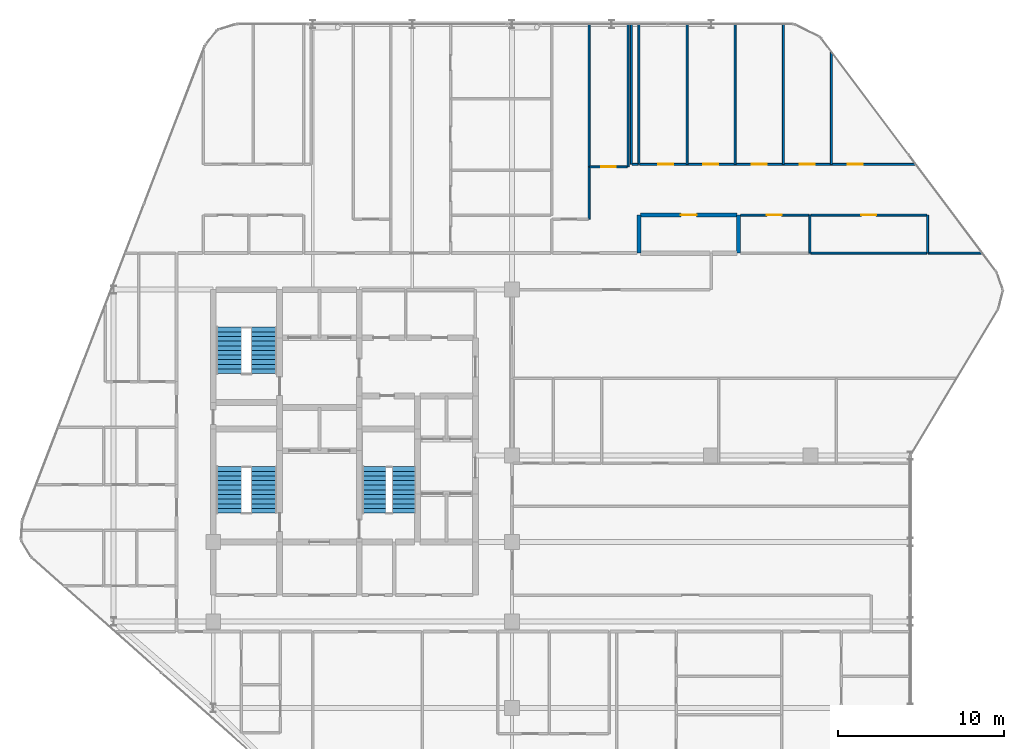
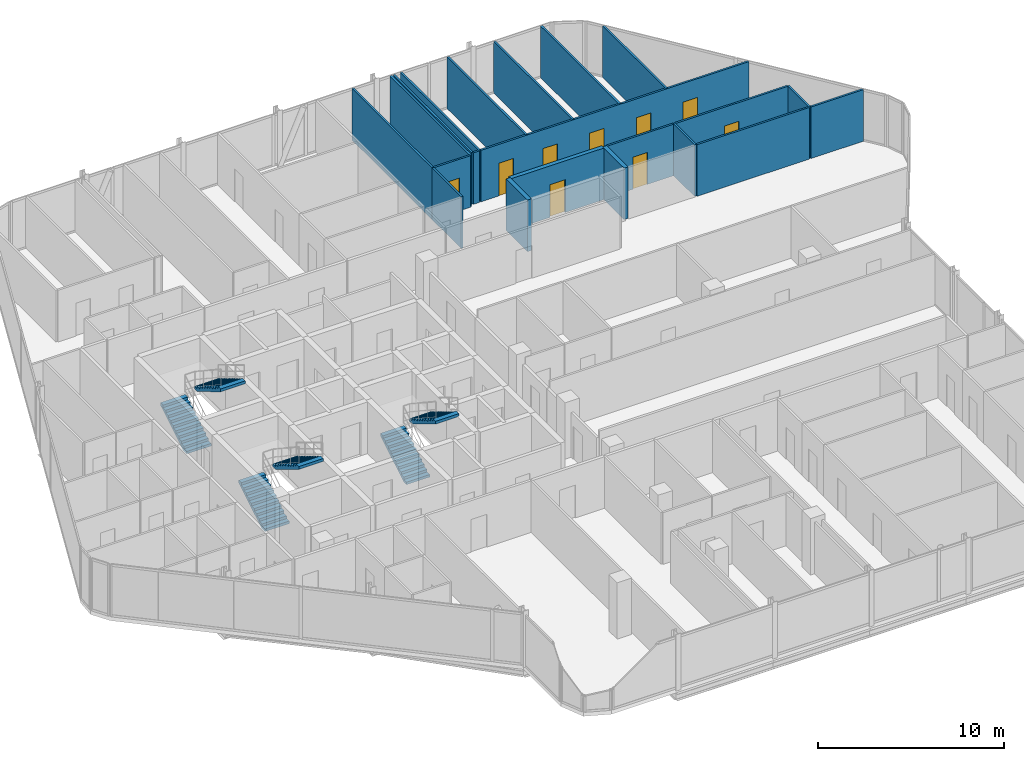
# One storey, part 30 of 31: 21 walls, 9 doors, 6 stair flights, 9 openings, 3 elements without a shape of their own.
"""IFC4 building model written with IfcOpenShell, lengths in metres."""

from ifc_helpers import new_model, si_unit, direction, frame, frame_2d, origin, place, context, subcontext, project, spatial, polyline, rectangle, outline, extrude, material, layer, layer_set, type_object, element, fill, aggregate, save


model = new_model("IFC4")

# Units and contexts
model_context = context("Model", 3, precision=1e-05, world=origin(), true_north=direction((0.0, 1.0)))
body_context = subcontext(model_context, "Body", "Model", "MODEL_VIEW")
ifc_project = project(units=[si_unit("LENGTHUNIT", "METRE"), si_unit("AREAUNIT", "SQUARE_METRE"), si_unit("VOLUMEUNIT", "CUBIC_METRE"), si_unit("PLANEANGLEUNIT", "RADIAN"), si_unit("MASSUNIT", "GRAM", prefix="KILO")], contexts=[model_context])

# Site, building, storey
site_placement = place(None, origin())
site = spatial("IfcSite", under=ifc_project, at=site_placement, CompositionType="ELEMENT")
building_placement = place(site_placement, origin())
building = spatial("IfcBuilding", under=site, at=building_placement, Name="Keshet Zoharim Tower", CompositionType="ELEMENT")
storey_placement = place(building_placement, frame((0.0, 0.0, 129.800048828125)))
storey = spatial("IfcBuildingStorey", under=building, at=storey_placement, Name="L31", CompositionType="ELEMENT", Elevation=129.800048828125)

# Walls
ifc_material_1 = material(Name="Concrete C50/60", Category="concrete")
ifc_layer_1 = layer(ifc_material_1, 0.25)
ifc_layer_set_1 = layer_set([ifc_layer_1], Name="Concrete C50/60")
wall_type_1 = type_object("IfcWallType", Name="WL-MAMAD-250", PredefinedType="STANDARD", material=ifc_layer_set_1)
for number, where, z_axis, x_axis, name in (
    (1, (40.64990234375, 40.10009765625, 0.0), (0.0, 0.0, 1.0), (0.0, 1.0, 0.0), "L31 Interior Wall 085"),
    (2, (46.64990234375, 40.10009765625, 0.0), (0.0, 0.0, 1.0), (0.0, 1.0, 0.0), "L31 Interior Wall 094"),
):
    element("IfcWall", number, at=place(storey_placement, frame(where, z_axis=z_axis, x_axis=x_axis)), inside=storey, type_object=wall_type_1, Name=name, PredefinedType="STANDARD", context=body_context, shape_type="SweptSolid", body=[
        extrude(rectangle(XDim=2.2998046875, YDim=0.25, at=frame_2d((1.14990234375, 0.0))), origin(), (0.0, 0.0, 1.0), 3.385009765625),
    ])

# Wall, opening, door
wall_1_placement = place(storey_placement, frame((40.75, 42.39990234375, 0.0), z_axis=(0.0, 0.0, 1.0), x_axis=(1.0, 0.0, 0.0)))
wall_1 = element("IfcWall", 3, at=wall_1_placement, inside=storey, type_object=wall_type_1, Name="L31 Interior Wall 200", PredefinedType="STANDARD", context=body_context, shape_type="SweptSolid", body=[
    extrude(rectangle(XDim=5.800048828125, YDim=0.25, at=frame_2d((2.89990234375, 0.0))), origin(), (0.0, 0.0, 1.0), 3.385009765625),
])
opening_1_placement = place(wall_1_placement, frame((2.425048828125, 0.0, 0.0)))
opening_1 = element("IfcOpeningElement", 4, at=opening_1_placement, cuts=wall_1, Name="Opening D-F695", PredefinedType="OPENING", context=body_context, shape_type="SweptSolid", body=[
    extrude(rectangle(XDim=0.949951171875, YDim=2.14990234375, at=frame_2d((0.47509765625, 1.074951171875))), frame((0.0, 0.135009765625, 0.0), z_axis=(0.0, -1.0, 0.0), x_axis=(1.0, 0.0, 0.0)), (0.0, 0.0, 1.0), 0.27001953125),
])
ifc_material_2 = material(Name="Hardwood Timber", Category="wood")
door_type_1 = type_object("IfcDoorType", Name="DR-FD60-095", OperationType="NOTDEFINED", PredefinedType="DOOR", material=ifc_material_2)
door_1_placement = place(opening_1_placement, origin())
door_1 = element("IfcDoor", 5, at=door_1_placement, inside=storey, type_object=door_type_1, Name="Apartment 3107 Study and Shelter Room Door", OperationType="SINGLE_SWING_RIGHT", OverallHeight=2.14990234375, OverallWidth=0.949951171875, PredefinedType="DOOR", context=body_context, shape_type="SweptSolid", body=[
    extrude(rectangle(XDim=0.949951171875, YDim=2.14990234375, at=frame_2d((0.47509765625, 1.074951171875))), frame((0.0, 0.02490234375, 0.0), z_axis=(0.0, -1.0, 0.0), x_axis=(1.0, 0.0, 0.0)), (0.0, 0.0, 1.0), 0.050048828125),
])
fill(opening_1, door_1)

# Walls
ifc_material_3 = material(Name="Gypsum Plasterboard", Category="gypsum")
ifc_layer_2 = layer(ifc_material_3, 0.1201171875)
ifc_layer_set_2 = layer_set([ifc_layer_2], Name="Gypsum Plasterboard")
wall_type_2 = type_object("IfcWallType", Name="WL-PART-120", PredefinedType="PARTITIONING", material=ifc_layer_set_2)
wall_2_placement = place(storey_placement, frame((37.64990234375, 42.14990234375, 0.0), z_axis=(0.0, 0.0, 1.0), x_axis=(0.0, 1.0, 0.0)))
element("IfcWall", 6, at=wall_2_placement, inside=storey, type_object=wall_type_2, Name="L31 Interior Wall 077", PredefinedType="PARTITIONING", context=body_context, shape_type="SweptSolid", body=[
    extrude(rectangle(XDim=3.150146484375, YDim=0.1201171875, at=frame_2d((1.5751953125, 0.0))), origin(), (0.0, 0.0, 1.0), 3.385009765625),
])
for number, where, z_axis, x_axis, name in (
    (7, (37.64990234375, 45.300048828125, 0.0), (0.0, 0.0, 1.0), (0.0, 1.0, 0.0), "L31 Interior Wall 078"),
    (8, (40.0, 45.300048828125, 0.0), (0.0, 0.0, 1.0), (0.0, 1.0, 0.0), "L31 Interior Wall 083"),
):
    element("IfcWall", number, at=place(storey_placement, frame(where, z_axis=z_axis, x_axis=x_axis)), inside=storey, type_object=wall_type_2, Name=name, PredefinedType="PARTITIONING", context=body_context, shape_type="SweptSolid", body=[
        extrude(rectangle(XDim=8.58984375, YDim=0.1201171875, at=frame_2d((4.294921875, 0.0))), origin(), (0.0, 0.0, 1.0), 3.385009765625),
    ])
for number, where, z_axis, x_axis, name in (
    (9, (40.199951171875, 45.449951171875, 0.0), (0.0, 0.0, 1.0), (0.0, 1.0, 0.0), "L31 Interior Wall 084"),
    (10, (40.64990234375, 45.449951171875, 0.0), (0.0, 0.0, 1.0), (0.0, 1.0, 0.0), "L31 Interior Wall 086"),
    (11, (43.550048828125, 45.449951171875, 0.0), (0.0, 0.0, 1.0), (0.0, 1.0, 0.0), "L31 Interior Wall 090"),
    (12, (46.449951171875, 45.449951171875, 0.0), (0.0, 0.0, 1.0), (0.0, 1.0, 0.0), "L31 Interior Wall 093"),
    (13, (49.35009765625, 45.449951171875, 0.0), (0.0, 0.0, 1.0), (0.0, 1.0, 0.0), "L31 Interior Wall 098"),
):
    element("IfcWall", number, at=place(storey_placement, frame(where, z_axis=z_axis, x_axis=x_axis)), inside=storey, type_object=wall_type_2, Name=name, PredefinedType="PARTITIONING", context=body_context, shape_type="SweptSolid", body=[
        extrude(rectangle(XDim=8.43994140625, YDim=0.1201171875, at=frame_2d((4.219970703125, 0.0))), origin(), (0.0, 0.0, 1.0), 3.385009765625),
    ])
wall_3_placement = place(storey_placement, frame((52.25, 45.449951171875, 0.0), z_axis=(0.0, 0.0, 1.0), x_axis=(0.0, 1.0, 0.0)))
element("IfcWall", 14, at=wall_3_placement, inside=storey, type_object=wall_type_2, Name="L31 Interior Wall 100", PredefinedType="PARTITIONING", context=body_context, shape_type="SweptSolid", body=[
    extrude(rectangle(XDim=6.77294921875, YDim=0.1201171875, at=frame_2d((3.386474609375, 0.0))), origin(), (0.0, 0.0, 1.0), 3.385009765625),
])
wall_4_placement = place(storey_placement, frame((58.050048828125, 40.10009765625, 0.0), z_axis=(0.0, 0.0, 1.0), x_axis=(0.0, 1.0, 0.0)))
element("IfcWall", 15, at=wall_4_placement, inside=storey, type_object=wall_type_2, Name="L31 Interior Wall 106", PredefinedType="PARTITIONING", context=body_context, shape_type="SweptSolid", body=[
    extrude(rectangle(XDim=2.2998046875, YDim=0.1201171875, at=frame_2d((1.14990234375, 0.0))), origin(), (0.0, 0.0, 1.0), 3.385009765625),
])
wall_5_placement = place(storey_placement, frame((51.0048828125, 40.10009765625, 0.0), z_axis=(0.0, 0.0, 1.0), x_axis=(1.0, 0.0, 0.0)))
element("IfcWall", 16, at=wall_5_placement, inside=storey, type_object=wall_type_2, Name="L31 Interior Wall 193", PredefinedType="PARTITIONING", context=body_context, shape_type="SweptSolid", body=[
    extrude(rectangle(XDim=6.988037109375, YDim=0.1201171875, at=frame_2d((3.494140625, 0.0))), origin(), (0.0, 0.0, 1.0), 3.385009765625),
])
wall_6_placement = place(storey_placement, frame((58.0830078125, 40.10009765625, 0.0), z_axis=(0.0, 0.0, 1.0), x_axis=(1.0, 0.0, 0.0)))
element("IfcWall", 17, at=wall_6_placement, inside=storey, type_object=wall_type_2, Name="L31 Interior Wall 194", PredefinedType="PARTITIONING", context=body_context, shape_type="SweptSolid", body=[
    extrude(rectangle(XDim=3.257080078125, YDim=0.1201171875, at=frame_2d((1.62841796875, 0.0))), origin(), (0.0, 0.0, 1.0), 3.385009765625),
])

# Wall, opening, door
wall_7_placement = place(storey_placement, frame((51.0048828125, 42.39990234375, 0.0), z_axis=(0.0, 0.0, 1.0), x_axis=(1.0, 0.0, 0.0)))
wall_7 = element("IfcWall", 18, at=wall_7_placement, inside=storey, type_object=wall_type_2, Name="L31 Interior Wall 202", PredefinedType="PARTITIONING", context=body_context, shape_type="SweptSolid", body=[
    extrude(rectangle(XDim=6.988037109375, YDim=0.1201171875, at=frame_2d((3.494140625, 0.0))), origin(), (0.0, 0.0, 1.0), 3.385009765625),
])
opening_2_placement = place(wall_7_placement, frame((3.0439453125, 0.0, 0.0)))
opening_2 = element("IfcOpeningElement", 19, at=opening_2_placement, cuts=wall_7, Name="Opening D-IN90", PredefinedType="OPENING", context=body_context, shape_type="SweptSolid", body=[
    extrude(rectangle(XDim=0.89990234375, YDim=2.14990234375, at=frame_2d((0.449951171875, 1.074951171875))), frame((0.0, 0.070068359375, 0.0), z_axis=(0.0, -1.0, 0.0), x_axis=(1.0, 0.0, 0.0)), (0.0, 0.0, 1.0), 0.14013671875),
])
door_type_2 = type_object("IfcDoorType", Name="DR-INT-090", OperationType="NOTDEFINED", PredefinedType="DOOR", material=ifc_material_2)
door_2_placement = place(opening_2_placement, origin())
door_2 = element("IfcDoor", 20, at=door_2_placement, inside=storey, type_object=door_type_2, Name="Apartment 3107 Kitchen Door", OperationType="SINGLE_SWING_RIGHT", OverallHeight=2.14990234375, OverallWidth=0.89990234375, PredefinedType="DOOR", context=body_context, shape_type="SweptSolid", body=[
    extrude(rectangle(XDim=0.89990234375, YDim=2.14990234375, at=frame_2d((0.449951171875, 1.074951171875))), frame((0.0, 0.02490234375, 0.0), z_axis=(0.0, -1.0, 0.0), x_axis=(1.0, 0.0, 0.0)), (0.0, 0.0, 1.0), 0.050048828125),
])
fill(opening_2, door_2)

wall_8_placement = place(storey_placement, frame((37.68505859375, 45.300048828125, 0.0), z_axis=(0.0, 0.0, 1.0), x_axis=(1.0, 0.0, 0.0)))
wall_8 = element("IfcWall", 21, at=wall_8_placement, inside=storey, type_object=wall_type_2, Name="L31 Interior Wall 204", PredefinedType="PARTITIONING", context=body_context, shape_type="SweptSolid", body=[
    extrude(rectangle(XDim=2.260009765625, YDim=0.1201171875, at=frame_2d((1.1298828125, 0.0))), origin(), (0.0, 0.0, 1.0), 3.385009765625),
])
opening_3_placement = place(wall_8_placement, frame((0.679931640625, 0.0, 0.0)))
opening_3 = element("IfcOpeningElement", 22, at=opening_3_placement, cuts=wall_8, Name="Opening D-IN90", PredefinedType="OPENING", context=body_context, shape_type="SweptSolid", body=[
    extrude(rectangle(XDim=0.89990234375, YDim=2.14990234375, at=frame_2d((0.449951171875, 1.074951171875))), frame((0.0, 0.070068359375, 0.0), z_axis=(0.0, -1.0, 0.0), x_axis=(1.0, 0.0, 0.0)), (0.0, 0.0, 1.0), 0.14013671875),
])
door_3_placement = place(opening_3_placement, origin())
door_3 = element("IfcDoor", 23, at=door_3_placement, inside=storey, type_object=door_type_2, Name="Apartment 3107 Home Study Room Door", OperationType="SINGLE_SWING_LEFT", OverallHeight=2.14990234375, OverallWidth=0.89990234375, PredefinedType="DOOR", context=body_context, shape_type="SweptSolid", body=[
    extrude(rectangle(XDim=0.89990234375, YDim=2.14990234375, at=frame_2d((0.449951171875, 1.074951171875))), frame((0.0, 0.02490234375, 0.0), z_axis=(0.0, -1.0, 0.0), x_axis=(1.0, 0.0, 0.0)), (0.0, 0.0, 1.0), 0.050048828125),
])
fill(opening_3, door_3)

# Wall
wall_9_placement = place(storey_placement, frame((40.235107421875, 45.449951171875, 0.0), z_axis=(0.0, 0.0, 1.0), x_axis=(1.0, 0.0, 0.0)))
element("IfcWall", 24, at=wall_9_placement, inside=storey, type_object=wall_type_2, Name="L31 Interior Wall 207", PredefinedType="PARTITIONING", context=body_context, shape_type="SweptSolid", body=[
    extrude(rectangle(XDim=0.35986328125, YDim=0.1201171875, at=frame_2d((0.179931640625, 0.0))), origin(), (0.0, 0.0, 1.0), 3.385009765625),
])

# Wall, openings, doors
wall_10_placement = place(storey_placement, frame((40.68505859375, 45.449951171875, 0.0), z_axis=(0.0, 0.0, 1.0), x_axis=(1.0, 0.0, 0.0)))
wall_10 = element("IfcWall", 25, at=wall_10_placement, inside=storey, type_object=wall_type_2, Name="L31 Interior Wall 208", PredefinedType="PARTITIONING", context=body_context, shape_type="SweptSolid", body=[
    extrude(rectangle(XDim=16.642822265625, YDim=0.1201171875, at=frame_2d((8.3212890625, 0.0))), origin(), (0.0, 0.0, 1.0), 3.385009765625),
])
opening_4_placement = place(wall_10_placement, frame((1.1298828125, 0.0, 0.0)))
opening_4 = element("IfcOpeningElement", 26, at=opening_4_placement, cuts=wall_10, Name="Opening D-IN90", PredefinedType="OPENING", context=body_context, shape_type="SweptSolid", body=[
    extrude(rectangle(XDim=0.89990234375, YDim=2.14990234375, at=frame_2d((0.449951171875, 1.074951171875))), frame((0.0, 0.070068359375, 0.0), z_axis=(0.0, -1.0, 0.0), x_axis=(1.0, 0.0, 0.0)), (0.0, 0.0, 1.0), 0.14013671875),
])
opening_5_placement = place(wall_10_placement, frame((3.85400390625, 0.0, 0.0)))
opening_5 = element("IfcOpeningElement", 27, at=opening_5_placement, cuts=wall_10, Name="Opening D-IN90", PredefinedType="OPENING", context=body_context, shape_type="SweptSolid", body=[
    extrude(rectangle(XDim=0.89990234375, YDim=2.14990234375, at=frame_2d((0.449951171875, 1.074951171875))), frame((0.0, 0.070068359375, 0.0), z_axis=(0.0, -1.0, 0.0), x_axis=(1.0, 0.0, 0.0)), (0.0, 0.0, 1.0), 0.14013671875),
])
opening_6_placement = place(wall_10_placement, frame((6.75390625, 0.0, 0.0)))
opening_6 = element("IfcOpeningElement", 28, at=opening_6_placement, cuts=wall_10, Name="Opening D-IN90", PredefinedType="OPENING", context=body_context, shape_type="SweptSolid", body=[
    extrude(rectangle(XDim=0.89990234375, YDim=2.14990234375, at=frame_2d((0.449951171875, 1.074951171875))), frame((0.0, 0.070068359375, 0.0), z_axis=(0.0, -1.0, 0.0), x_axis=(1.0, 0.0, 0.0)), (0.0, 0.0, 1.0), 0.14013671875),
])
opening_7_placement = place(wall_10_placement, frame((9.654052734375, 0.0, 0.0)))
opening_7 = element("IfcOpeningElement", 29, at=opening_7_placement, cuts=wall_10, Name="Opening D-IN90", PredefinedType="OPENING", context=body_context, shape_type="SweptSolid", body=[
    extrude(rectangle(XDim=0.89990234375, YDim=2.14990234375, at=frame_2d((0.449951171875, 1.074951171875))), frame((0.0, 0.070068359375, 0.0), z_axis=(0.0, -1.0, 0.0), x_axis=(1.0, 0.0, 0.0)), (0.0, 0.0, 1.0), 0.14013671875),
])
opening_8_placement = place(wall_10_placement, frame((12.552978515625, 0.0, 0.0)))
opening_8 = element("IfcOpeningElement", 30, at=opening_8_placement, cuts=wall_10, Name="Opening D-IN90", PredefinedType="OPENING", context=body_context, shape_type="SweptSolid", body=[
    extrude(rectangle(XDim=0.89990234375, YDim=2.14990234375, at=frame_2d((0.449951171875, 1.074951171875))), frame((0.0, 0.070068359375, 0.0), z_axis=(0.0, -1.0, 0.0), x_axis=(1.0, 0.0, 0.0)), (0.0, 0.0, 1.0), 0.14013671875),
])
door_4_placement = place(opening_4_placement, origin())
door_4 = element("IfcDoor", 31, at=door_4_placement, inside=storey, type_object=door_type_2, Name="Apartment 3107 Bedroom 1 Door", OperationType="SINGLE_SWING_RIGHT", OverallHeight=2.14990234375, OverallWidth=0.89990234375, PredefinedType="DOOR", context=body_context, shape_type="SweptSolid", body=[
    extrude(rectangle(XDim=0.89990234375, YDim=2.14990234375, at=frame_2d((0.449951171875, 1.074951171875))), frame((0.0, 0.02490234375, 0.0), z_axis=(0.0, -1.0, 0.0), x_axis=(1.0, 0.0, 0.0)), (0.0, 0.0, 1.0), 0.050048828125),
])
fill(opening_4, door_4)
door_5_placement = place(opening_5_placement, origin())
door_5 = element("IfcDoor", 32, at=door_5_placement, inside=storey, type_object=door_type_2, Name="Apartment 3107 Bedroom 2 Door", OperationType="SINGLE_SWING_LEFT", OverallHeight=2.14990234375, OverallWidth=0.89990234375, PredefinedType="DOOR", context=body_context, shape_type="SweptSolid", body=[
    extrude(rectangle(XDim=0.89990234375, YDim=2.14990234375, at=frame_2d((0.449951171875, 1.074951171875))), frame((0.0, 0.02490234375, 0.0), z_axis=(0.0, -1.0, 0.0), x_axis=(1.0, 0.0, 0.0)), (0.0, 0.0, 1.0), 0.050048828125),
])
fill(opening_5, door_5)
door_6_placement = place(opening_6_placement, origin())
door_6 = element("IfcDoor", 33, at=door_6_placement, inside=storey, type_object=door_type_2, Name="Apartment 3107 Bedroom 3 Door", OperationType="SINGLE_SWING_RIGHT", OverallHeight=2.14990234375, OverallWidth=0.89990234375, PredefinedType="DOOR", context=body_context, shape_type="SweptSolid", body=[
    extrude(rectangle(XDim=0.89990234375, YDim=2.14990234375, at=frame_2d((0.449951171875, 1.074951171875))), frame((0.0, 0.02490234375, 0.0), z_axis=(0.0, -1.0, 0.0), x_axis=(1.0, 0.0, 0.0)), (0.0, 0.0, 1.0), 0.050048828125),
])
fill(opening_6, door_6)
door_7_placement = place(opening_7_placement, origin())
door_7 = element("IfcDoor", 34, at=door_7_placement, inside=storey, type_object=door_type_2, Name="Apartment 3107 Bedroom 4 Door", OperationType="SINGLE_SWING_LEFT", OverallHeight=2.14990234375, OverallWidth=0.89990234375, PredefinedType="DOOR", context=body_context, shape_type="SweptSolid", body=[
    extrude(rectangle(XDim=0.89990234375, YDim=2.14990234375, at=frame_2d((0.449951171875, 1.074951171875))), frame((0.0, 0.02490234375, 0.0), z_axis=(0.0, -1.0, 0.0), x_axis=(1.0, 0.0, 0.0)), (0.0, 0.0, 1.0), 0.050048828125),
])
fill(opening_7, door_7)
door_8_placement = place(opening_8_placement, origin())
door_8 = element("IfcDoor", 35, at=door_8_placement, inside=storey, type_object=door_type_2, Name="Apartment 3107 Bedroom 5 Door", OperationType="SINGLE_SWING_RIGHT", OverallHeight=2.14990234375, OverallWidth=0.89990234375, PredefinedType="DOOR", context=body_context, shape_type="SweptSolid", body=[
    extrude(rectangle(XDim=0.89990234375, YDim=2.14990234375, at=frame_2d((0.449951171875, 1.074951171875))), frame((0.0, 0.02490234375, 0.0), z_axis=(0.0, -1.0, 0.0), x_axis=(1.0, 0.0, 0.0)), (0.0, 0.0, 1.0), 0.050048828125),
])
fill(opening_8, door_8)

# Wall
ifc_layer_3 = layer(ifc_material_3, 0.1201171875)
ifc_layer_set_3 = layer_set([ifc_layer_3], Name="Gypsum Plasterboard")
wall_type_3 = type_object("IfcWallType", Name="WL-WET-120", PredefinedType="PARTITIONING", material=ifc_layer_set_3)
wall_11_placement = place(storey_placement, frame((50.949951171875, 40.10009765625, 0.0), z_axis=(0.0, 0.0, 1.0), x_axis=(0.0, 1.0, 0.0)))
element("IfcWall", 36, at=wall_11_placement, inside=storey, type_object=wall_type_3, Name="L31 Interior Wall 099", PredefinedType="PARTITIONING", context=body_context, shape_type="SweptSolid", body=[
    extrude(rectangle(XDim=2.2998046875, YDim=0.1201171875, at=frame_2d((1.14990234375, 0.0))), origin(), (0.0, 0.0, 1.0), 3.385009765625),
])

# Wall, opening, door
wall_12_placement = place(storey_placement, frame((46.77001953125, 42.39990234375, 0.0), z_axis=(0.0, 0.0, 1.0), x_axis=(1.0, 0.0, 0.0)))
wall_12 = element("IfcWall", 37, at=wall_12_placement, inside=storey, type_object=wall_type_3, Name="L31 Interior Wall 201", PredefinedType="PARTITIONING", context=body_context, shape_type="SweptSolid", body=[
    extrude(rectangle(XDim=4.14501953125, YDim=0.1201171875, at=frame_2d((2.072509765625, 0.0))), origin(), (0.0, 0.0, 1.0), 3.385009765625),
])
opening_9_placement = place(wall_12_placement, frame((1.590087890625, 0.0, 0.0)))
opening_9 = element("IfcOpeningElement", 38, at=opening_9_placement, cuts=wall_12, Name="Opening D-WT90", PredefinedType="OPENING", context=body_context, shape_type="SweptSolid", body=[
    extrude(rectangle(XDim=0.89990234375, YDim=2.10009765625, at=frame_2d((0.449951171875, 1.050048828125))), frame((0.0, 0.070068359375, 0.0), z_axis=(0.0, -1.0, 0.0), x_axis=(1.0, 0.0, 0.0)), (0.0, 0.0, 1.0), 0.14013671875),
])
door_type_3 = type_object("IfcDoorType", Name="DR-WET-090", OperationType="NOTDEFINED", PredefinedType="DOOR", material=ifc_material_2)
door_9_placement = place(opening_9_placement, origin())
door_9 = element("IfcDoor", 39, at=door_9_placement, inside=storey, type_object=door_type_3, Name="Apartment 3107 Bathroom Door", OperationType="SINGLE_SWING_LEFT", OverallHeight=2.10009765625, OverallWidth=0.89990234375, PredefinedType="DOOR", context=body_context, shape_type="SweptSolid", body=[
    extrude(rectangle(XDim=0.89990234375, YDim=2.10009765625, at=frame_2d((0.449951171875, 1.050048828125))), frame((0.0, 0.02490234375, 0.0), z_axis=(0.0, -1.0, 0.0), x_axis=(1.0, 0.0, 0.0)), (0.0, 0.0, 1.0), 0.050048828125),
])
fill(opening_9, door_9)

# Stair, stair flights
stair_type = type_object("IfcStairType", Name="STR-EXIT-135", PredefinedType="HALF_TURN_STAIR", material=ifc_material_1)
stair_1_placement = place(storey_placement, origin())
stair_1 = element("IfcStair", 40, at=stair_1_placement, inside=storey, type_object=stair_type, Name="L31 Enclosed Exit Stair ST-01", PredefinedType="HALF_TURN_STAIR")
stair_flight_type_1 = type_object("IfcStairFlightType", Name="FLT-PRE-135", PredefinedType="STRAIGHT", material=ifc_material_1)
stair_flight_1_placement = place(storey_placement, frame((15.945068359375, 24.43994140625, 0.0), z_axis=(0.0, 0.0, 1.0), x_axis=(0.0, 1.0, 0.0)))
stair_flight_1 = element("IfcStairFlight", 41, at=stair_flight_1_placement, type_object=stair_flight_type_1, Name="ST-01 flight 1", NumberOfRisers=11, NumberOfTreads=10, PredefinedType="STRAIGHT", RiserHeight=0.168182, TreadLength=0.28, context=body_context, shape_type="SweptSolid", body=[
    extrude(outline(polyline([(0.0, 0.0), (0.0, 0.168212890625), (0.280029296875, 0.168212890625), (0.280029296875, 0.33642578125), (0.56005859375, 0.33642578125), (0.56005859375, 0.504638671875), (0.840087890625, 0.504638671875), (0.840087890625, 0.672607421875), (1.1201171875, 0.672607421875), (1.1201171875, 0.8408203125), (1.39990234375, 0.8408203125), (1.39990234375, 1.009033203125), (1.679931640625, 1.009033203125), (1.679931640625, 1.17724609375), (1.9599609375, 1.17724609375), (1.9599609375, 1.345458984375), (2.239990234375, 1.345458984375), (2.239990234375, 1.513671875), (2.52001953125, 1.513671875), (2.52001953125, 1.681884765625), (2.800048828125, 1.681884765625), (2.800048828125, 1.85009765625), (2.800048828125, 1.495361328125), (0.310546875, 0.0), (0.0, 0.0)])), frame((0.0, 0.76513671875, 0.0), z_axis=(0.0, -1.0, 0.0), x_axis=(1.0, 0.0, 0.0)), (0.0, 0.0, 1.0), 1.530029296875),
])
stair_flight_2_placement = place(storey_placement, frame((18.054931640625, 27.239990234375, 1.849853515625), z_axis=(0.0, 0.0, 1.0), x_axis=(0.0, -1.0, 0.0)))
stair_flight_2 = element("IfcStairFlight", 42, at=stair_flight_2_placement, type_object=stair_flight_type_1, Name="ST-01 flight 2", NumberOfRisers=11, NumberOfTreads=10, PredefinedType="STRAIGHT", RiserHeight=0.168182, TreadLength=0.28, context=body_context, shape_type="SweptSolid", body=[
    extrude(outline(polyline([(0.0, 0.0), (0.0, 0.168212890625), (0.280029296875, 0.168212890625), (0.280029296875, 0.33642578125), (0.56005859375, 0.33642578125), (0.56005859375, 0.504638671875), (0.840087890625, 0.504638671875), (0.840087890625, 0.672607421875), (1.1201171875, 0.672607421875), (1.1201171875, 0.8408203125), (1.39990234375, 0.8408203125), (1.39990234375, 1.009033203125), (1.679931640625, 1.009033203125), (1.679931640625, 1.17724609375), (1.9599609375, 1.17724609375), (1.9599609375, 1.345458984375), (2.239990234375, 1.345458984375), (2.239990234375, 1.513671875), (2.52001953125, 1.513671875), (2.52001953125, 1.681884765625), (2.800048828125, 1.681884765625), (2.800048828125, 1.85009765625), (2.800048828125, 1.495361328125), (0.310546875, 0.0), (0.0, 0.0)])), frame((0.0, 0.76513671875, 0.0), z_axis=(0.0, -1.0, 0.0), x_axis=(1.0, 0.0, 0.0)), (0.0, 0.0, 1.0), 1.530029296875),
])
aggregate(stair_1, [stair_flight_1, stair_flight_2])

stair_2_placement = place(storey_placement, origin())
stair_2 = element("IfcStair", 43, at=stair_2_placement, inside=storey, type_object=stair_type, Name="L31 Enclosed Exit Stair ST-02", PredefinedType="HALF_TURN_STAIR")
stair_flight_3_placement = place(storey_placement, frame((15.945068359375, 32.840087890625, 0.0), z_axis=(0.0, 0.0, 1.0), x_axis=(0.0, 1.0, 0.0)))
stair_flight_3 = element("IfcStairFlight", 44, at=stair_flight_3_placement, type_object=stair_flight_type_1, Name="ST-02 flight 1", NumberOfRisers=11, NumberOfTreads=10, PredefinedType="STRAIGHT", RiserHeight=0.168182, TreadLength=0.28, context=body_context, shape_type="SweptSolid", body=[
    extrude(outline(polyline([(0.0, 0.0), (0.0, 0.168212890625), (0.280029296875, 0.168212890625), (0.280029296875, 0.33642578125), (0.56005859375, 0.33642578125), (0.56005859375, 0.504638671875), (0.840087890625, 0.504638671875), (0.840087890625, 0.672607421875), (1.1201171875, 0.672607421875), (1.1201171875, 0.8408203125), (1.39990234375, 0.8408203125), (1.39990234375, 1.009033203125), (1.679931640625, 1.009033203125), (1.679931640625, 1.17724609375), (1.9599609375, 1.17724609375), (1.9599609375, 1.345458984375), (2.239990234375, 1.345458984375), (2.239990234375, 1.513671875), (2.52001953125, 1.513671875), (2.52001953125, 1.681884765625), (2.800048828125, 1.681884765625), (2.800048828125, 1.85009765625), (2.800048828125, 1.495361328125), (0.310546875, 0.0), (0.0, 0.0)])), frame((0.0, 0.76513671875, 0.0), z_axis=(0.0, -1.0, 0.0), x_axis=(1.0, 0.0, 0.0)), (0.0, 0.0, 1.0), 1.530029296875),
])
stair_flight_4_placement = place(storey_placement, frame((18.054931640625, 35.639892578125, 1.849853515625), z_axis=(0.0, 0.0, 1.0), x_axis=(0.0, -1.0, 0.0)))
stair_flight_4 = element("IfcStairFlight", 45, at=stair_flight_4_placement, type_object=stair_flight_type_1, Name="ST-02 flight 2", NumberOfRisers=11, NumberOfTreads=10, PredefinedType="STRAIGHT", RiserHeight=0.168182, TreadLength=0.28, context=body_context, shape_type="SweptSolid", body=[
    extrude(outline(polyline([(0.0, 0.0), (0.0, 0.168212890625), (0.280029296875, 0.168212890625), (0.280029296875, 0.33642578125), (0.56005859375, 0.33642578125), (0.56005859375, 0.504638671875), (0.840087890625, 0.504638671875), (0.840087890625, 0.672607421875), (1.1201171875, 0.672607421875), (1.1201171875, 0.8408203125), (1.39990234375, 0.8408203125), (1.39990234375, 1.009033203125), (1.679931640625, 1.009033203125), (1.679931640625, 1.17724609375), (1.9599609375, 1.17724609375), (1.9599609375, 1.345458984375), (2.239990234375, 1.345458984375), (2.239990234375, 1.513671875), (2.52001953125, 1.513671875), (2.52001953125, 1.681884765625), (2.800048828125, 1.681884765625), (2.800048828125, 1.85009765625), (2.800048828125, 1.495361328125), (0.310546875, 0.0), (0.0, 0.0)])), frame((0.0, 0.76513671875, 0.0), z_axis=(0.0, -1.0, 0.0), x_axis=(1.0, 0.0, 0.0)), (0.0, 0.0, 1.0), 1.530029296875),
])
aggregate(stair_2, [stair_flight_3, stair_flight_4])

stair_3_placement = place(storey_placement, origin())
stair_3 = element("IfcStair", 46, at=stair_3_placement, inside=storey, type_object=stair_type, Name="L31 Enclosed Exit Stair ST-03", PredefinedType="HALF_TURN_STAIR")
stair_flight_type_2 = type_object("IfcStairFlightType", Name="FLT-PRE-144", PredefinedType="STRAIGHT", material=ifc_material_1)
stair_flight_5_placement = place(storey_placement, frame((24.699951171875, 24.43994140625, 0.0), z_axis=(0.0, 0.0, 1.0), x_axis=(0.0, 1.0, 0.0)))
stair_flight_5 = element("IfcStairFlight", 47, at=stair_flight_5_placement, type_object=stair_flight_type_2, Name="ST-03 flight 1", NumberOfRisers=11, NumberOfTreads=10, PredefinedType="STRAIGHT", RiserHeight=0.168182, TreadLength=0.28, context=body_context, shape_type="SweptSolid", body=[
    extrude(outline(polyline([(0.0, 0.0), (0.0, 0.168212890625), (0.280029296875, 0.168212890625), (0.280029296875, 0.33642578125), (0.56005859375, 0.33642578125), (0.56005859375, 0.504638671875), (0.840087890625, 0.504638671875), (0.840087890625, 0.672607421875), (1.1201171875, 0.672607421875), (1.1201171875, 0.8408203125), (1.39990234375, 0.8408203125), (1.39990234375, 1.009033203125), (1.679931640625, 1.009033203125), (1.679931640625, 1.17724609375), (1.9599609375, 1.17724609375), (1.9599609375, 1.345458984375), (2.239990234375, 1.345458984375), (2.239990234375, 1.513671875), (2.52001953125, 1.513671875), (2.52001953125, 1.681884765625), (2.800048828125, 1.681884765625), (2.800048828125, 1.85009765625), (2.800048828125, 1.495361328125), (0.310546875, 0.0), (0.0, 0.0)])), frame((0.0, 0.719970703125, 0.0), z_axis=(0.0, -1.0, 0.0), x_axis=(1.0, 0.0, 0.0)), (0.0, 0.0, 1.0), 1.43994140625),
])
stair_flight_6_placement = place(storey_placement, frame((26.5, 27.239990234375, 1.849853515625), z_axis=(0.0, 0.0, 1.0), x_axis=(0.0, -1.0, 0.0)))
stair_flight_6 = element("IfcStairFlight", 48, at=stair_flight_6_placement, type_object=stair_flight_type_2, Name="ST-03 flight 2", NumberOfRisers=11, NumberOfTreads=10, PredefinedType="STRAIGHT", RiserHeight=0.168182, TreadLength=0.28, context=body_context, shape_type="SweptSolid", body=[
    extrude(outline(polyline([(0.0, 0.0), (0.0, 0.168212890625), (0.280029296875, 0.168212890625), (0.280029296875, 0.33642578125), (0.56005859375, 0.33642578125), (0.56005859375, 0.504638671875), (0.840087890625, 0.504638671875), (0.840087890625, 0.672607421875), (1.1201171875, 0.672607421875), (1.1201171875, 0.8408203125), (1.39990234375, 0.8408203125), (1.39990234375, 1.009033203125), (1.679931640625, 1.009033203125), (1.679931640625, 1.17724609375), (1.9599609375, 1.17724609375), (1.9599609375, 1.345458984375), (2.239990234375, 1.345458984375), (2.239990234375, 1.513671875), (2.52001953125, 1.513671875), (2.52001953125, 1.681884765625), (2.800048828125, 1.681884765625), (2.800048828125, 1.85009765625), (2.800048828125, 1.495361328125), (0.310546875, 0.0), (0.0, 0.0)])), frame((0.0, 0.719970703125, 0.0), z_axis=(0.0, -1.0, 0.0), x_axis=(1.0, 0.0, 0.0)), (0.0, 0.0, 1.0), 1.43994140625),
])
aggregate(stair_3, [stair_flight_5, stair_flight_6])

save(model, "model.ifc")
